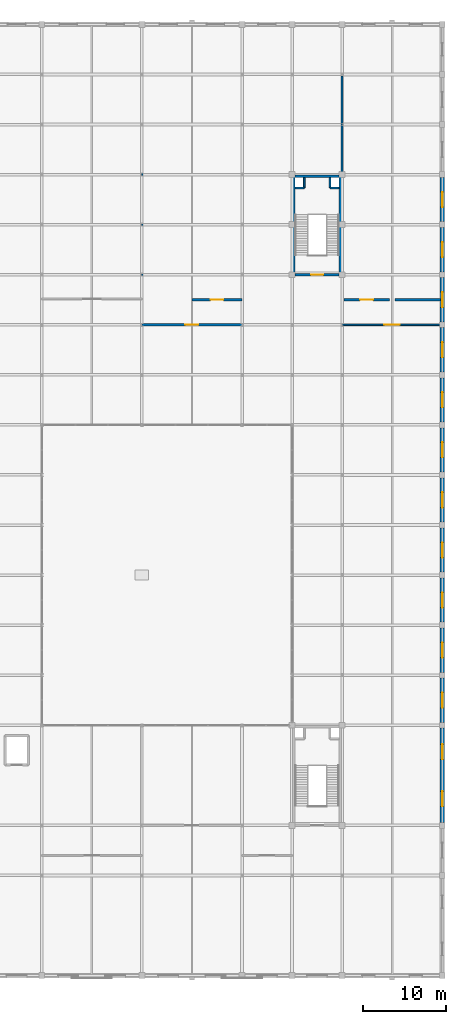
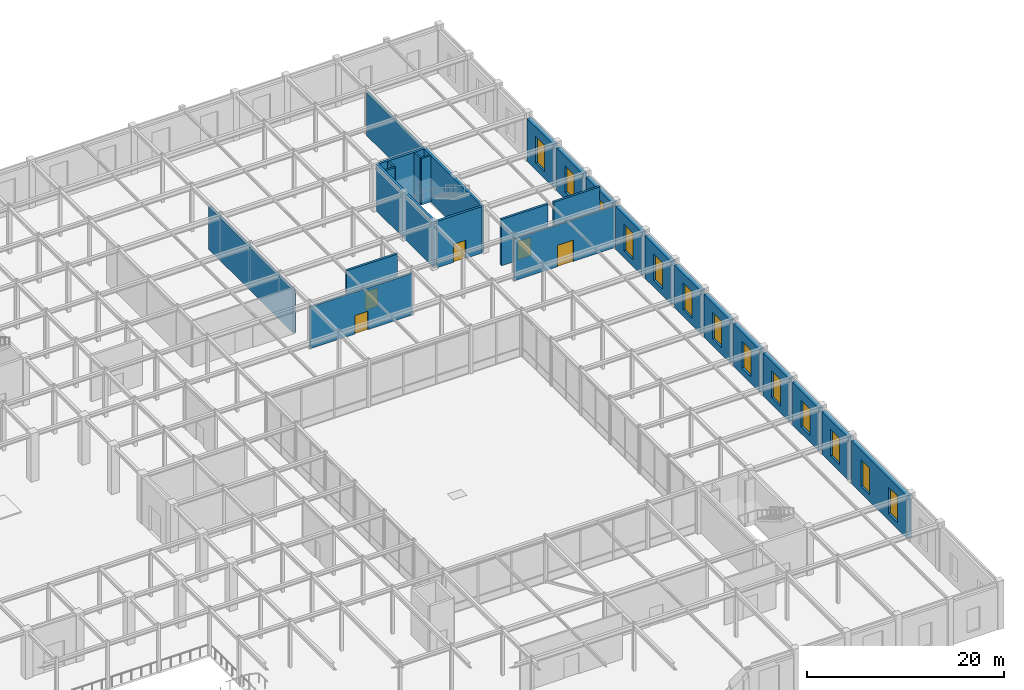
# One storey, part 104 of 108: 27 walls, 13 windows, 5 doors, 18 openings.
"""IFC4 building model written with IfcOpenShell, lengths in metres."""

from ifc_helpers import new_model, si_unit, direction, frame, frame_2d, origin, place, context, subcontext, project, spatial, rectangle, extrude, material, layer, layer_set, type_object, element, fill, save


model = new_model("IFC4")

# Units and contexts
model_context = context("Model", 3, precision=1e-05, world=origin(), true_north=direction((0.0, 1.0)))
body_context = subcontext(model_context, "Body", "Model", "MODEL_VIEW")
ifc_project = project(units=[si_unit("LENGTHUNIT", "METRE"), si_unit("AREAUNIT", "SQUARE_METRE"), si_unit("VOLUMEUNIT", "CUBIC_METRE"), si_unit("PLANEANGLEUNIT", "RADIAN"), si_unit("MASSUNIT", "GRAM", prefix="KILO")], contexts=[model_context])

# Site, building, storey
site_placement = place(None, origin())
site = spatial("IfcSite", under=ifc_project, at=site_placement, CompositionType="ELEMENT")
building_placement = place(site_placement, origin())
building = spatial("IfcBuilding", under=site, at=building_placement, Name="Zlatovratsky Civic Hall", CompositionType="ELEMENT")
storey_placement = place(building_placement, frame((0.0, 0.0, 6.0)))
storey = spatial("IfcBuildingStorey", under=building, at=storey_placement, Name="L02", CompositionType="ELEMENT", Elevation=6.0)

# Wall, opening, door
ifc_material_1 = material(Name="Acoustic ceramic blockwork", Category="masonry")
ifc_layer_1 = layer(ifc_material_1, 0.179931640625)
ifc_layer_set_1 = layer_set([ifc_layer_1], Name="Acoustic ceramic blockwork")
wall_type_1 = type_object("IfcWallType", Name="Wall_AcousticChamberPartition_180", PredefinedType="PARTITIONING", material=ifc_layer_set_1)
wall_1_placement = place(storey_placement, frame((156.0, 78.0, 0.0), z_axis=(0.0, 0.0, 1.0), x_axis=(1.0, 0.0, 0.0)))
wall_1 = element("IfcWall", 1, at=wall_1_placement, inside=storey, type_object=wall_type_1, Name="WL-6126", PredefinedType="PARTITIONING", context=body_context, shape_type="SweptSolid", body=[
    extrude(rectangle(XDim=12.0, YDim=0.179931640625, at=frame_2d((6.0, 0.0))), origin(), (0.0, 0.0, 1.0), 5.177978515625),
])
opening_1_placement = place(wall_1_placement, frame((5.074951171875, 0.0, 0.0)))
opening_1 = element("IfcOpeningElement", 2, at=opening_1_placement, cuts=wall_1, Name="Opening D-14", PredefinedType="OPENING", context=body_context, shape_type="SweptSolid", body=[
    extrude(rectangle(XDim=1.85009765625, YDim=2.64990234375, at=frame_2d((0.925048828125, 1.324951171875))), frame((0.0, 0.10498046875, 0.0), z_axis=(0.0, -1.0, 0.0), x_axis=(1.0, 0.0, 0.0)), (0.0, 0.0, 1.0), 0.209716796875),
])
ifc_material_2 = material(Name="Solid oak joinery in steel frame", Category="steel")
door_type_1 = type_object("IfcDoorType", Name="Door_LibraryReadingDouble_1850x2650", OperationType="DOUBLE_DOOR_SINGLE_SWING", PredefinedType="DOOR", material=ifc_material_2)
door_1_placement = place(opening_1_placement, origin())
door_1 = element("IfcDoor", 3, at=door_1_placement, inside=storey, type_object=door_type_1, Name="DR-5267", OperationType="DOUBLE_DOOR_SINGLE_SWING", OverallHeight=2.64990234375, OverallWidth=1.85009765625, PredefinedType="DOOR", context=body_context, shape_type="SweptSolid", body=[
    extrude(rectangle(XDim=1.85009765625, YDim=2.64990234375, at=frame_2d((0.925048828125, 1.324951171875))), frame((0.0, 0.02490234375, 0.0), z_axis=(0.0, -1.0, 0.0), x_axis=(1.0, 0.0, 0.0)), (0.0, 0.0, 1.0), 0.050048828125),
])
fill(opening_1, door_1)

ifc_layer_2 = layer(ifc_material_1, 0.260009765625)
ifc_layer_set_2 = layer_set([ifc_layer_2], Name="Acoustic ceramic blockwork")
wall_type_2 = type_object("IfcWallType", Name="Wall_ArchiveCompartment_260", PredefinedType="PARTITIONING", material=ifc_layer_set_2)
wall_2_placement = place(storey_placement, frame((132.0, 78.0, 0.0), z_axis=(0.0, 0.0, 1.0), x_axis=(1.0, 0.0, 0.0)))
wall_2 = element("IfcWall", 4, at=wall_2_placement, inside=storey, type_object=wall_type_2, Name="WL-6132", PredefinedType="PARTITIONING", context=body_context, shape_type="SweptSolid", body=[
    extrude(rectangle(XDim=12.0, YDim=0.260009765625, at=frame_2d((6.0, 0.0))), origin(), (0.0, 0.0, 1.0), 5.177978515625),
])
opening_2_placement = place(wall_2_placement, frame((5.22509765625, 0.0, 0.0)))
opening_2 = element("IfcOpeningElement", 5, at=opening_2_placement, cuts=wall_2, Name="Opening D-15", PredefinedType="OPENING", context=body_context, shape_type="SweptSolid", body=[
    extrude(rectangle(XDim=1.550048828125, YDim=2.300048828125, at=frame_2d((0.77490234375, 1.14990234375))), frame((0.0, 0.14501953125, 0.0), z_axis=(0.0, -1.0, 0.0), x_axis=(1.0, 0.0, 0.0)), (0.0, 0.0, 1.0), 0.289794921875),
])
ifc_material_3 = material(Name="Insulated painted fire-rated steel leaf", Category="steel")
door_type_2 = type_object("IfcDoorType", Name="Door_CompactArchiveFire_1550x2300", OperationType="DOUBLE_DOOR_SINGLE_SWING", PredefinedType="DOOR", material=ifc_material_3)
door_2_placement = place(opening_2_placement, origin())
door_2 = element("IfcDoor", 6, at=door_2_placement, inside=storey, type_object=door_type_2, Name="DR-5273", OperationType="DOUBLE_DOOR_SINGLE_SWING", OverallHeight=2.300048828125, OverallWidth=1.550048828125, PredefinedType="DOOR", context=body_context, shape_type="SweptSolid", body=[
    extrude(rectangle(XDim=1.550048828125, YDim=2.300048828125, at=frame_2d((0.77490234375, 1.14990234375))), frame((0.0, 0.02490234375, 0.0), z_axis=(0.0, -1.0, 0.0), x_axis=(1.0, 0.0, 0.0)), (0.0, 0.0, 1.0), 0.050048828125),
])
fill(opening_2, door_2)

wall_3_placement = place(storey_placement, frame((138.0, 81.0, 0.0), z_axis=(0.0, 0.0, 1.0), x_axis=(1.0, 0.0, 0.0)))
wall_3 = element("IfcWall", 7, at=wall_3_placement, inside=storey, type_object=wall_type_2, Name="WL-6136", PredefinedType="PARTITIONING", context=body_context, shape_type="SweptSolid", body=[
    extrude(rectangle(XDim=6.0, YDim=0.260009765625, at=frame_2d((3.0, 0.0))), origin(), (0.0, 0.0, 1.0), 5.760009765625),
])
opening_3_placement = place(wall_3_placement, frame((2.22509765625, 0.0, 0.0)))
opening_3 = element("IfcOpeningElement", 8, at=opening_3_placement, cuts=wall_3, Name="Opening D-15", PredefinedType="OPENING", context=body_context, shape_type="SweptSolid", body=[
    extrude(rectangle(XDim=1.550048828125, YDim=2.300048828125, at=frame_2d((0.77490234375, 1.14990234375))), frame((0.0, 0.14501953125, 0.0), z_axis=(0.0, -1.0, 0.0), x_axis=(1.0, 0.0, 0.0)), (0.0, 0.0, 1.0), 0.289794921875),
])
door_3_placement = place(opening_3_placement, origin())
door_3 = element("IfcDoor", 9, at=door_3_placement, inside=storey, type_object=door_type_2, Name="DR-5277", OperationType="DOUBLE_DOOR_SINGLE_SWING", OverallHeight=2.300048828125, OverallWidth=1.550048828125, PredefinedType="DOOR", context=body_context, shape_type="SweptSolid", body=[
    extrude(rectangle(XDim=1.550048828125, YDim=2.300048828125, at=frame_2d((0.77490234375, 1.14990234375))), frame((0.0, 0.02490234375, 0.0), z_axis=(0.0, -1.0, 0.0), x_axis=(1.0, 0.0, 0.0)), (0.0, 0.0, 1.0), 0.050048828125),
])
fill(opening_3, door_3)

wall_4_placement = place(storey_placement, frame((156.199951171875, 81.0, 0.0), z_axis=(0.0, 0.0, 1.0), x_axis=(1.0, 0.0, 0.0)))
wall_4 = element("IfcWall", 10, at=wall_4_placement, inside=storey, type_object=wall_type_2, Name="WL-6142", PredefinedType="PARTITIONING", context=body_context, shape_type="SweptSolid", body=[
    extrude(rectangle(XDim=5.449951171875, YDim=0.260009765625, at=frame_2d((2.72509765625, 0.0))), origin(), (0.0, 0.0, 1.0), 5.760009765625),
])
opening_4_placement = place(wall_4_placement, frame((1.949951171875, 0.0, 0.0)))
opening_4 = element("IfcOpeningElement", 11, at=opening_4_placement, cuts=wall_4, Name="Opening D-15", PredefinedType="OPENING", context=body_context, shape_type="SweptSolid", body=[
    extrude(rectangle(XDim=1.550048828125, YDim=2.300048828125, at=frame_2d((0.77490234375, 1.14990234375))), frame((0.0, 0.14501953125, 0.0), z_axis=(0.0, -1.0, 0.0), x_axis=(1.0, 0.0, 0.0)), (0.0, 0.0, 1.0), 0.289794921875),
])
door_4_placement = place(opening_4_placement, origin())
door_4 = element("IfcDoor", 12, at=door_4_placement, inside=storey, type_object=door_type_2, Name="DR-5283", OperationType="DOUBLE_DOOR_SINGLE_SWING", OverallHeight=2.300048828125, OverallWidth=1.550048828125, PredefinedType="DOOR", context=body_context, shape_type="SweptSolid", body=[
    extrude(rectangle(XDim=1.550048828125, YDim=2.300048828125, at=frame_2d((0.77490234375, 1.14990234375))), frame((0.0, 0.02490234375, 0.0), z_axis=(0.0, -1.0, 0.0), x_axis=(1.0, 0.0, 0.0)), (0.0, 0.0, 1.0), 0.050048828125),
])
fill(opening_4, door_4)

# Walls
wall_5_placement = place(storey_placement, frame((132.0, 81.14990234375, 0.0), z_axis=(0.0, 0.0, 1.0), x_axis=(0.0, 1.0, 0.0)))
element("IfcWall", 13, at=wall_5_placement, inside=storey, type_object=wall_type_2, Name="WL-6146", PredefinedType="PARTITIONING", context=body_context, shape_type="SweptSolid", body=[
    extrude(rectangle(XDim=17.2001953125, YDim=0.260009765625, at=frame_2d((8.60009765625, 0.0))), origin(), (0.0, 0.0, 1.0), 5.320068359375),
])
wall_6_placement = place(storey_placement, frame((162.35009765625, 81.0, 0.0), z_axis=(0.0, 0.0, 1.0), x_axis=(1.0, 0.0, 0.0)))
element("IfcWall", 14, at=wall_6_placement, inside=storey, type_object=wall_type_2, Name="WL-6152", PredefinedType="PARTITIONING", context=body_context, shape_type="SweptSolid", body=[
    extrude(rectangle(XDim=5.449951171875, YDim=0.260009765625, at=frame_2d((2.72509765625, 0.0))), origin(), (0.0, 0.0, 1.0), 5.760009765625),
])
wall_7_placement = place(storey_placement, frame((156.0, 96.199951171875, 0.0), z_axis=(0.0, 0.0, 1.0), x_axis=(0.0, 1.0, 0.0)))
element("IfcWall", 15, at=wall_7_placement, inside=storey, type_object=wall_type_2, Name="WL-6154", PredefinedType="PARTITIONING", context=body_context, shape_type="SweptSolid", body=[
    extrude(rectangle(XDim=11.60009765625, YDim=0.260009765625, at=frame_2d((5.800048828125, 0.0))), origin(), (0.0, 0.0, 1.0), 5.320068359375),
])

# Wall, openings, windows
ifc_layer_3 = layer(ifc_material_1, 0.39990234375, Name="Backing")
ifc_material_4 = material(Name="Polished Karelian granite ashlar", Category="masonry")
ifc_layer_4 = layer(ifc_material_4, 0.139892578125, Name="Finish")
ifc_layer_set_3 = layer_set([ifc_layer_3, ifc_layer_4], Name="Acoustic ceramic blockwork")
wall_type_3 = type_object("IfcWallType", Name="Wall_PodiumGraniteArcade_540", PredefinedType="SOLIDWALL", material=ifc_layer_set_3)
wall_8_placement = place(storey_placement, frame((168.0, 18.35009765625, 0.0), z_axis=(0.0, 0.0, 1.0), x_axis=(0.0, 1.0, 0.0)))
wall_8 = element("IfcWall", 16, at=wall_8_placement, inside=storey, type_object=wall_type_3, Name="WL-0226", PredefinedType="SOLIDWALL", context=body_context, shape_type="SweptSolid", body=[
    extrude(rectangle(XDim=11.2998046875, YDim=0.5400390625, at=frame_2d((5.64990234375, 0.0))), origin(), (0.0, 0.0, 1.0), 5.31005859375),
])
opening_5_placement = place(wall_8_placement, frame((1.925048828125, 0.0, 0.85009765625)))
opening_5 = element("IfcOpeningElement", 17, at=opening_5_placement, cuts=wall_8, Name="Opening WN-06", PredefinedType="OPENING", context=body_context, shape_type="SweptSolid", body=[
    extrude(rectangle(XDim=1.800048828125, YDim=3.300048828125, at=frame_2d((0.89990234375, 1.64990234375))), frame((0.0, 0.284912109375, 0.0), z_axis=(0.0, -1.0, 0.0), x_axis=(1.0, 0.0, 0.0)), (0.0, 0.0, 1.0), 0.56982421875),
])
opening_6_placement = place(wall_8_placement, frame((7.574951171875, 0.0, 0.85009765625)))
opening_6 = element("IfcOpeningElement", 18, at=opening_6_placement, cuts=wall_8, Name="Opening WN-06", PredefinedType="OPENING", context=body_context, shape_type="SweptSolid", body=[
    extrude(rectangle(XDim=1.800048828125, YDim=3.300048828125, at=frame_2d((0.89990234375, 1.64990234375))), frame((0.0, 0.284912109375, 0.0), z_axis=(0.0, -1.0, 0.0), x_axis=(1.0, 0.0, 0.0)), (0.0, 0.0, 1.0), 0.56982421875),
])
ifc_material_5 = material(Name="Low-E laminated double glazing", Category="glass")
window_type = type_object("IfcWindowType", Name="Window_PianoNobileCourt_1800x3300", PartitioningType="SINGLE_PANEL", PredefinedType="WINDOW", material=ifc_material_5)
window_1_placement = place(opening_5_placement, origin())
window_1 = element("IfcWindow", 19, at=window_1_placement, inside=storey, type_object=window_type, Name="WN-0149", OverallHeight=3.300048828125, OverallWidth=1.800048828125, PartitioningType="SINGLE_PANEL", PredefinedType="WINDOW", context=body_context, shape_type="SweptSolid", body=[
    extrude(rectangle(XDim=1.800048828125, YDim=3.300048828125, at=frame_2d((0.89990234375, 1.64990234375))), frame((0.0, 0.030029296875, 0.0), z_axis=(0.0, -1.0, 0.0), x_axis=(1.0, 0.0, 0.0)), (0.0, 0.0, 1.0), 0.06005859375),
])
fill(opening_5, window_1)
window_2_placement = place(opening_6_placement, origin())
window_2 = element("IfcWindow", 20, at=window_2_placement, inside=storey, type_object=window_type, Name="WN-0150", OverallHeight=3.300048828125, OverallWidth=1.800048828125, PartitioningType="SINGLE_PANEL", PredefinedType="WINDOW", context=body_context, shape_type="SweptSolid", body=[
    extrude(rectangle(XDim=1.800048828125, YDim=3.300048828125, at=frame_2d((0.89990234375, 1.64990234375))), frame((0.0, 0.030029296875, 0.0), z_axis=(0.0, -1.0, 0.0), x_axis=(1.0, 0.0, 0.0)), (0.0, 0.0, 1.0), 0.06005859375),
])
fill(opening_6, window_2)

# Wall, opening, window
wall_9_placement = place(storey_placement, frame((168.0, 30.35009765625, 0.0), z_axis=(0.0, 0.0, 1.0), x_axis=(0.0, 1.0, 0.0)))
wall_9 = element("IfcWall", 21, at=wall_9_placement, inside=storey, type_object=wall_type_3, Name="WL-0227", PredefinedType="SOLIDWALL", context=body_context, shape_type="SweptSolid", body=[
    extrude(rectangle(XDim=5.2998046875, YDim=0.5400390625, at=frame_2d((2.64990234375, 0.0))), origin(), (0.0, 0.0, 1.0), 5.31005859375),
])
opening_7_placement = place(wall_9_placement, frame((1.75, 0.0, 0.85009765625)))
opening_7 = element("IfcOpeningElement", 22, at=opening_7_placement, cuts=wall_9, Name="Opening WN-06", PredefinedType="OPENING", context=body_context, shape_type="SweptSolid", body=[
    extrude(rectangle(XDim=1.800048828125, YDim=3.300048828125, at=frame_2d((0.89990234375, 1.64990234375))), frame((0.0, 0.284912109375, 0.0), z_axis=(0.0, -1.0, 0.0), x_axis=(1.0, 0.0, 0.0)), (0.0, 0.0, 1.0), 0.56982421875),
])
window_3_placement = place(opening_7_placement, origin())
window_3 = element("IfcWindow", 23, at=window_3_placement, inside=storey, type_object=window_type, Name="WN-0151", OverallHeight=3.300048828125, OverallWidth=1.800048828125, PartitioningType="SINGLE_PANEL", PredefinedType="WINDOW", context=body_context, shape_type="SweptSolid", body=[
    extrude(rectangle(XDim=1.800048828125, YDim=3.300048828125, at=frame_2d((0.89990234375, 1.64990234375))), frame((0.0, 0.030029296875, 0.0), z_axis=(0.0, -1.0, 0.0), x_axis=(1.0, 0.0, 0.0)), (0.0, 0.0, 1.0), 0.06005859375),
])
fill(opening_7, window_3)

wall_10_placement = place(storey_placement, frame((168.0, 36.35009765625, 0.0), z_axis=(0.0, 0.0, 1.0), x_axis=(0.0, 1.0, 0.0)))
wall_10 = element("IfcWall", 24, at=wall_10_placement, inside=storey, type_object=wall_type_3, Name="WL-0228", PredefinedType="SOLIDWALL", context=body_context, shape_type="SweptSolid", body=[
    extrude(rectangle(XDim=5.2998046875, YDim=0.5400390625, at=frame_2d((2.64990234375, 0.0))), origin(), (0.0, 0.0, 1.0), 5.31005859375),
])
opening_8_placement = place(wall_10_placement, frame((1.75, 0.0, 0.85009765625)))
opening_8 = element("IfcOpeningElement", 25, at=opening_8_placement, cuts=wall_10, Name="Opening WN-06", PredefinedType="OPENING", context=body_context, shape_type="SweptSolid", body=[
    extrude(rectangle(XDim=1.800048828125, YDim=3.300048828125, at=frame_2d((0.89990234375, 1.64990234375))), frame((0.0, 0.284912109375, 0.0), z_axis=(0.0, -1.0, 0.0), x_axis=(1.0, 0.0, 0.0)), (0.0, 0.0, 1.0), 0.56982421875),
])
window_4_placement = place(opening_8_placement, origin())
window_4 = element("IfcWindow", 26, at=window_4_placement, inside=storey, type_object=window_type, Name="WN-0152", OverallHeight=3.300048828125, OverallWidth=1.800048828125, PartitioningType="SINGLE_PANEL", PredefinedType="WINDOW", context=body_context, shape_type="SweptSolid", body=[
    extrude(rectangle(XDim=1.800048828125, YDim=3.300048828125, at=frame_2d((0.89990234375, 1.64990234375))), frame((0.0, 0.030029296875, 0.0), z_axis=(0.0, -1.0, 0.0), x_axis=(1.0, 0.0, 0.0)), (0.0, 0.0, 1.0), 0.06005859375),
])
fill(opening_8, window_4)

wall_11_placement = place(storey_placement, frame((168.0, 42.35009765625, 0.0), z_axis=(0.0, 0.0, 1.0), x_axis=(0.0, 1.0, 0.0)))
wall_11 = element("IfcWall", 27, at=wall_11_placement, inside=storey, type_object=wall_type_3, Name="WL-0229", PredefinedType="SOLIDWALL", context=body_context, shape_type="SweptSolid", body=[
    extrude(rectangle(XDim=5.2998046875, YDim=0.5400390625, at=frame_2d((2.64990234375, 0.0))), origin(), (0.0, 0.0, 1.0), 5.31005859375),
])
opening_9_placement = place(wall_11_placement, frame((1.75, 0.0, 0.85009765625)))
opening_9 = element("IfcOpeningElement", 28, at=opening_9_placement, cuts=wall_11, Name="Opening WN-06", PredefinedType="OPENING", context=body_context, shape_type="SweptSolid", body=[
    extrude(rectangle(XDim=1.800048828125, YDim=3.300048828125, at=frame_2d((0.89990234375, 1.64990234375))), frame((0.0, 0.284912109375, 0.0), z_axis=(0.0, -1.0, 0.0), x_axis=(1.0, 0.0, 0.0)), (0.0, 0.0, 1.0), 0.56982421875),
])
window_5_placement = place(opening_9_placement, origin())
window_5 = element("IfcWindow", 29, at=window_5_placement, inside=storey, type_object=window_type, Name="WN-0153", OverallHeight=3.300048828125, OverallWidth=1.800048828125, PartitioningType="SINGLE_PANEL", PredefinedType="WINDOW", context=body_context, shape_type="SweptSolid", body=[
    extrude(rectangle(XDim=1.800048828125, YDim=3.300048828125, at=frame_2d((0.89990234375, 1.64990234375))), frame((0.0, 0.030029296875, 0.0), z_axis=(0.0, -1.0, 0.0), x_axis=(1.0, 0.0, 0.0)), (0.0, 0.0, 1.0), 0.06005859375),
])
fill(opening_9, window_5)

wall_12_placement = place(storey_placement, frame((168.0, 48.35009765625, 0.0), z_axis=(0.0, 0.0, 1.0), x_axis=(0.0, 1.0, 0.0)))
wall_12 = element("IfcWall", 30, at=wall_12_placement, inside=storey, type_object=wall_type_3, Name="WL-0230", PredefinedType="SOLIDWALL", context=body_context, shape_type="SweptSolid", body=[
    extrude(rectangle(XDim=5.2998046875, YDim=0.5400390625, at=frame_2d((2.64990234375, 0.0))), origin(), (0.0, 0.0, 1.0), 5.31005859375),
])
opening_10_placement = place(wall_12_placement, frame((1.75, 0.0, 0.85009765625)))
opening_10 = element("IfcOpeningElement", 31, at=opening_10_placement, cuts=wall_12, Name="Opening WN-06", PredefinedType="OPENING", context=body_context, shape_type="SweptSolid", body=[
    extrude(rectangle(XDim=1.800048828125, YDim=3.300048828125, at=frame_2d((0.89990234375, 1.64990234375))), frame((0.0, 0.284912109375, 0.0), z_axis=(0.0, -1.0, 0.0), x_axis=(1.0, 0.0, 0.0)), (0.0, 0.0, 1.0), 0.56982421875),
])
window_6_placement = place(opening_10_placement, origin())
window_6 = element("IfcWindow", 32, at=window_6_placement, inside=storey, type_object=window_type, Name="WN-0154", OverallHeight=3.300048828125, OverallWidth=1.800048828125, PartitioningType="SINGLE_PANEL", PredefinedType="WINDOW", context=body_context, shape_type="SweptSolid", body=[
    extrude(rectangle(XDim=1.800048828125, YDim=3.300048828125, at=frame_2d((0.89990234375, 1.64990234375))), frame((0.0, 0.030029296875, 0.0), z_axis=(0.0, -1.0, 0.0), x_axis=(1.0, 0.0, 0.0)), (0.0, 0.0, 1.0), 0.06005859375),
])
fill(opening_10, window_6)

wall_13_placement = place(storey_placement, frame((168.0, 54.35009765625, 0.0), z_axis=(0.0, 0.0, 1.0), x_axis=(0.0, 1.0, 0.0)))
wall_13 = element("IfcWall", 33, at=wall_13_placement, inside=storey, type_object=wall_type_3, Name="WL-0231", PredefinedType="SOLIDWALL", context=body_context, shape_type="SweptSolid", body=[
    extrude(rectangle(XDim=5.2998046875, YDim=0.5400390625, at=frame_2d((2.64990234375, 0.0))), origin(), (0.0, 0.0, 1.0), 5.31005859375),
])
opening_11_placement = place(wall_13_placement, frame((1.75, 0.0, 0.85009765625)))
opening_11 = element("IfcOpeningElement", 34, at=opening_11_placement, cuts=wall_13, Name="Opening WN-06", PredefinedType="OPENING", context=body_context, shape_type="SweptSolid", body=[
    extrude(rectangle(XDim=1.800048828125, YDim=3.300048828125, at=frame_2d((0.89990234375, 1.64990234375))), frame((0.0, 0.284912109375, 0.0), z_axis=(0.0, -1.0, 0.0), x_axis=(1.0, 0.0, 0.0)), (0.0, 0.0, 1.0), 0.56982421875),
])
window_7_placement = place(opening_11_placement, origin())
window_7 = element("IfcWindow", 35, at=window_7_placement, inside=storey, type_object=window_type, Name="WN-0155", OverallHeight=3.300048828125, OverallWidth=1.800048828125, PartitioningType="SINGLE_PANEL", PredefinedType="WINDOW", context=body_context, shape_type="SweptSolid", body=[
    extrude(rectangle(XDim=1.800048828125, YDim=3.300048828125, at=frame_2d((0.89990234375, 1.64990234375))), frame((0.0, 0.030029296875, 0.0), z_axis=(0.0, -1.0, 0.0), x_axis=(1.0, 0.0, 0.0)), (0.0, 0.0, 1.0), 0.06005859375),
])
fill(opening_11, window_7)

wall_14_placement = place(storey_placement, frame((168.0, 60.35009765625, 0.0), z_axis=(0.0, 0.0, 1.0), x_axis=(0.0, 1.0, 0.0)))
wall_14 = element("IfcWall", 36, at=wall_14_placement, inside=storey, type_object=wall_type_3, Name="WL-0232", PredefinedType="SOLIDWALL", context=body_context, shape_type="SweptSolid", body=[
    extrude(rectangle(XDim=5.2998046875, YDim=0.5400390625, at=frame_2d((2.64990234375, 0.0))), origin(), (0.0, 0.0, 1.0), 5.31005859375),
])
opening_12_placement = place(wall_14_placement, frame((1.75, 0.0, 0.85009765625)))
opening_12 = element("IfcOpeningElement", 37, at=opening_12_placement, cuts=wall_14, Name="Opening WN-06", PredefinedType="OPENING", context=body_context, shape_type="SweptSolid", body=[
    extrude(rectangle(XDim=1.800048828125, YDim=3.300048828125, at=frame_2d((0.89990234375, 1.64990234375))), frame((0.0, 0.284912109375, 0.0), z_axis=(0.0, -1.0, 0.0), x_axis=(1.0, 0.0, 0.0)), (0.0, 0.0, 1.0), 0.56982421875),
])
window_8_placement = place(opening_12_placement, origin())
window_8 = element("IfcWindow", 38, at=window_8_placement, inside=storey, type_object=window_type, Name="WN-0156", OverallHeight=3.300048828125, OverallWidth=1.800048828125, PartitioningType="SINGLE_PANEL", PredefinedType="WINDOW", context=body_context, shape_type="SweptSolid", body=[
    extrude(rectangle(XDim=1.800048828125, YDim=3.300048828125, at=frame_2d((0.89990234375, 1.64990234375))), frame((0.0, 0.030029296875, 0.0), z_axis=(0.0, -1.0, 0.0), x_axis=(1.0, 0.0, 0.0)), (0.0, 0.0, 1.0), 0.06005859375),
])
fill(opening_12, window_8)

wall_15_placement = place(storey_placement, frame((168.0, 66.35009765625, 0.0), z_axis=(0.0, 0.0, 1.0), x_axis=(0.0, 1.0, 0.0)))
wall_15 = element("IfcWall", 39, at=wall_15_placement, inside=storey, type_object=wall_type_3, Name="WL-0233", PredefinedType="SOLIDWALL", context=body_context, shape_type="SweptSolid", body=[
    extrude(rectangle(XDim=5.2998046875, YDim=0.5400390625, at=frame_2d((2.64990234375, 0.0))), origin(), (0.0, 0.0, 1.0), 5.31005859375),
])
opening_13_placement = place(wall_15_placement, frame((1.75, 0.0, 0.85009765625)))
opening_13 = element("IfcOpeningElement", 40, at=opening_13_placement, cuts=wall_15, Name="Opening WN-06", PredefinedType="OPENING", context=body_context, shape_type="SweptSolid", body=[
    extrude(rectangle(XDim=1.800048828125, YDim=3.300048828125, at=frame_2d((0.89990234375, 1.64990234375))), frame((0.0, 0.284912109375, 0.0), z_axis=(0.0, -1.0, 0.0), x_axis=(1.0, 0.0, 0.0)), (0.0, 0.0, 1.0), 0.56982421875),
])
window_9_placement = place(opening_13_placement, origin())
window_9 = element("IfcWindow", 41, at=window_9_placement, inside=storey, type_object=window_type, Name="WN-0157", OverallHeight=3.300048828125, OverallWidth=1.800048828125, PartitioningType="SINGLE_PANEL", PredefinedType="WINDOW", context=body_context, shape_type="SweptSolid", body=[
    extrude(rectangle(XDim=1.800048828125, YDim=3.300048828125, at=frame_2d((0.89990234375, 1.64990234375))), frame((0.0, 0.030029296875, 0.0), z_axis=(0.0, -1.0, 0.0), x_axis=(1.0, 0.0, 0.0)), (0.0, 0.0, 1.0), 0.06005859375),
])
fill(opening_13, window_9)

wall_16_placement = place(storey_placement, frame((168.0, 72.35009765625, 0.0), z_axis=(0.0, 0.0, 1.0), x_axis=(0.0, 1.0, 0.0)))
wall_16 = element("IfcWall", 42, at=wall_16_placement, inside=storey, type_object=wall_type_3, Name="WL-0234", PredefinedType="SOLIDWALL", context=body_context, shape_type="SweptSolid", body=[
    extrude(rectangle(XDim=5.2998046875, YDim=0.5400390625, at=frame_2d((2.64990234375, 0.0))), origin(), (0.0, 0.0, 1.0), 5.31005859375),
])
opening_14_placement = place(wall_16_placement, frame((1.75, 0.0, 0.85009765625)))
opening_14 = element("IfcOpeningElement", 43, at=opening_14_placement, cuts=wall_16, Name="Opening WN-06", PredefinedType="OPENING", context=body_context, shape_type="SweptSolid", body=[
    extrude(rectangle(XDim=1.800048828125, YDim=3.300048828125, at=frame_2d((0.89990234375, 1.64990234375))), frame((0.0, 0.284912109375, 0.0), z_axis=(0.0, -1.0, 0.0), x_axis=(1.0, 0.0, 0.0)), (0.0, 0.0, 1.0), 0.56982421875),
])
window_10_placement = place(opening_14_placement, origin())
window_10 = element("IfcWindow", 44, at=window_10_placement, inside=storey, type_object=window_type, Name="WN-0158", OverallHeight=3.300048828125, OverallWidth=1.800048828125, PartitioningType="SINGLE_PANEL", PredefinedType="WINDOW", context=body_context, shape_type="SweptSolid", body=[
    extrude(rectangle(XDim=1.800048828125, YDim=3.300048828125, at=frame_2d((0.89990234375, 1.64990234375))), frame((0.0, 0.030029296875, 0.0), z_axis=(0.0, -1.0, 0.0), x_axis=(1.0, 0.0, 0.0)), (0.0, 0.0, 1.0), 0.06005859375),
])
fill(opening_14, window_10)

wall_17_placement = place(storey_placement, frame((168.0, 78.35009765625, 0.0), z_axis=(0.0, 0.0, 1.0), x_axis=(0.0, 1.0, 0.0)))
wall_17 = element("IfcWall", 45, at=wall_17_placement, inside=storey, type_object=wall_type_3, Name="WL-0235", PredefinedType="SOLIDWALL", context=body_context, shape_type="SweptSolid", body=[
    extrude(rectangle(XDim=5.2998046875, YDim=0.5400390625, at=frame_2d((2.64990234375, 0.0))), origin(), (0.0, 0.0, 1.0), 5.31005859375),
])
opening_15_placement = place(wall_17_placement, frame((1.75, 0.0, 0.85009765625)))
opening_15 = element("IfcOpeningElement", 46, at=opening_15_placement, cuts=wall_17, Name="Opening WN-06", PredefinedType="OPENING", context=body_context, shape_type="SweptSolid", body=[
    extrude(rectangle(XDim=1.800048828125, YDim=3.300048828125, at=frame_2d((0.89990234375, 1.64990234375))), frame((0.0, 0.284912109375, 0.0), z_axis=(0.0, -1.0, 0.0), x_axis=(1.0, 0.0, 0.0)), (0.0, 0.0, 1.0), 0.56982421875),
])
window_11_placement = place(opening_15_placement, origin())
window_11 = element("IfcWindow", 47, at=window_11_placement, inside=storey, type_object=window_type, Name="WN-0159", OverallHeight=3.300048828125, OverallWidth=1.800048828125, PartitioningType="SINGLE_PANEL", PredefinedType="WINDOW", context=body_context, shape_type="SweptSolid", body=[
    extrude(rectangle(XDim=1.800048828125, YDim=3.300048828125, at=frame_2d((0.89990234375, 1.64990234375))), frame((0.0, 0.030029296875, 0.0), z_axis=(0.0, -1.0, 0.0), x_axis=(1.0, 0.0, 0.0)), (0.0, 0.0, 1.0), 0.06005859375),
])
fill(opening_15, window_11)

wall_18_placement = place(storey_placement, frame((168.0, 84.35009765625, 0.0), z_axis=(0.0, 0.0, 1.0), x_axis=(0.0, 1.0, 0.0)))
wall_18 = element("IfcWall", 48, at=wall_18_placement, inside=storey, type_object=wall_type_3, Name="WL-0236", PredefinedType="SOLIDWALL", context=body_context, shape_type="SweptSolid", body=[
    extrude(rectangle(XDim=5.2998046875, YDim=0.5400390625, at=frame_2d((2.64990234375, 0.0))), origin(), (0.0, 0.0, 1.0), 5.31005859375),
])
opening_16_placement = place(wall_18_placement, frame((1.75, 0.0, 0.85009765625)))
opening_16 = element("IfcOpeningElement", 49, at=opening_16_placement, cuts=wall_18, Name="Opening WN-06", PredefinedType="OPENING", context=body_context, shape_type="SweptSolid", body=[
    extrude(rectangle(XDim=1.800048828125, YDim=3.300048828125, at=frame_2d((0.89990234375, 1.64990234375))), frame((0.0, 0.284912109375, 0.0), z_axis=(0.0, -1.0, 0.0), x_axis=(1.0, 0.0, 0.0)), (0.0, 0.0, 1.0), 0.56982421875),
])
window_12_placement = place(opening_16_placement, origin())
window_12 = element("IfcWindow", 50, at=window_12_placement, inside=storey, type_object=window_type, Name="WN-0160", OverallHeight=3.300048828125, OverallWidth=1.800048828125, PartitioningType="SINGLE_PANEL", PredefinedType="WINDOW", context=body_context, shape_type="SweptSolid", body=[
    extrude(rectangle(XDim=1.800048828125, YDim=3.300048828125, at=frame_2d((0.89990234375, 1.64990234375))), frame((0.0, 0.030029296875, 0.0), z_axis=(0.0, -1.0, 0.0), x_axis=(1.0, 0.0, 0.0)), (0.0, 0.0, 1.0), 0.06005859375),
])
fill(opening_16, window_12)

wall_19_placement = place(storey_placement, frame((168.0, 90.35009765625, 0.0), z_axis=(0.0, 0.0, 1.0), x_axis=(0.0, 1.0, 0.0)))
wall_19 = element("IfcWall", 51, at=wall_19_placement, inside=storey, type_object=wall_type_3, Name="WL-0237", PredefinedType="SOLIDWALL", context=body_context, shape_type="SweptSolid", body=[
    extrude(rectangle(XDim=5.2998046875, YDim=0.5400390625, at=frame_2d((2.64990234375, 0.0))), origin(), (0.0, 0.0, 1.0), 5.31005859375),
])
opening_17_placement = place(wall_19_placement, frame((1.75, 0.0, 0.85009765625)))
opening_17 = element("IfcOpeningElement", 52, at=opening_17_placement, cuts=wall_19, Name="Opening WN-06", PredefinedType="OPENING", context=body_context, shape_type="SweptSolid", body=[
    extrude(rectangle(XDim=1.800048828125, YDim=3.300048828125, at=frame_2d((0.89990234375, 1.64990234375))), frame((0.0, 0.284912109375, 0.0), z_axis=(0.0, -1.0, 0.0), x_axis=(1.0, 0.0, 0.0)), (0.0, 0.0, 1.0), 0.56982421875),
])
window_13_placement = place(opening_17_placement, origin())
window_13 = element("IfcWindow", 53, at=window_13_placement, inside=storey, type_object=window_type, Name="WN-0161", OverallHeight=3.300048828125, OverallWidth=1.800048828125, PartitioningType="SINGLE_PANEL", PredefinedType="WINDOW", context=body_context, shape_type="SweptSolid", body=[
    extrude(rectangle(XDim=1.800048828125, YDim=3.300048828125, at=frame_2d((0.89990234375, 1.64990234375))), frame((0.0, 0.030029296875, 0.0), z_axis=(0.0, -1.0, 0.0), x_axis=(1.0, 0.0, 0.0)), (0.0, 0.0, 1.0), 0.06005859375),
])
fill(opening_17, window_13)

# Walls
ifc_layer_5 = layer(ifc_material_1, 0.219970703125)
ifc_layer_set_4 = layer_set([ifc_layer_5], Name="Acoustic ceramic blockwork")
wall_type_4 = type_object("IfcWallType", Name="Wall_SanitaryWetCore_220", PredefinedType="PARTITIONING", material=ifc_layer_set_4)
wall_20_placement = place(storey_placement, frame((151.449951171875, 94.39990234375, 0.0), z_axis=(0.0, 0.0, 1.0), x_axis=(0.0, 1.0, 0.0)))
element("IfcWall", 54, at=wall_20_placement, inside=storey, type_object=wall_type_4, Name="WL-5449", PredefinedType="PARTITIONING", context=body_context, shape_type="SweptSolid", body=[
    extrude(rectangle(XDim=1.25, YDim=0.219970703125, at=frame_2d((0.625, 0.0))), origin(), (0.0, 0.0, 1.0), 5.760009765625),
])
wall_21_placement = place(storey_placement, frame((150.35009765625, 94.39990234375, 0.0), z_axis=(0.0, 0.0, 1.0), x_axis=(1.0, 0.0, 0.0)))
element("IfcWall", 55, at=wall_21_placement, inside=storey, type_object=wall_type_4, Name="WL-5450", PredefinedType="PARTITIONING", context=body_context, shape_type="SweptSolid", body=[
    extrude(rectangle(XDim=1.099853515625, YDim=0.219970703125, at=frame_2d((0.5498046875, 0.0))), origin(), (0.0, 0.0, 1.0), 5.760009765625),
])
wall_22_placement = place(storey_placement, frame((154.550048828125, 94.39990234375, 0.0), z_axis=(0.0, 0.0, 1.0), x_axis=(0.0, 1.0, 0.0)))
element("IfcWall", 56, at=wall_22_placement, inside=storey, type_object=wall_type_4, Name="WL-5451", PredefinedType="PARTITIONING", context=body_context, shape_type="SweptSolid", body=[
    extrude(rectangle(XDim=1.25, YDim=0.219970703125, at=frame_2d((0.625, 0.0))), origin(), (0.0, 0.0, 1.0), 5.760009765625),
])
wall_23_placement = place(storey_placement, frame((154.550048828125, 94.39990234375, 0.0), z_axis=(0.0, 0.0, 1.0), x_axis=(1.0, 0.0, 0.0)))
element("IfcWall", 57, at=wall_23_placement, inside=storey, type_object=wall_type_4, Name="WL-5452", PredefinedType="PARTITIONING", context=body_context, shape_type="SweptSolid", body=[
    extrude(rectangle(XDim=1.099853515625, YDim=0.219970703125, at=frame_2d((0.5498046875, 0.0))), origin(), (0.0, 0.0, 1.0), 5.760009765625),
])

# Wall, opening, door
ifc_material_6 = material(Name="Concrete C35/45 (B40)", Category="concrete")
ifc_layer_6 = layer(ifc_material_6, 0.300048828125)
ifc_layer_set_5 = layer_set([ifc_layer_6], Name="Concrete C35/45 (B40)")
wall_type_5 = type_object("IfcWallType", Name="Wall_StairAndLiftShaft_300", PredefinedType="SHEAR", material=ifc_layer_set_5)
wall_24_placement = place(storey_placement, frame((150.35009765625, 84.0, 0.0), z_axis=(0.0, 0.0, 1.0), x_axis=(1.0, 0.0, 0.0)))
wall_24 = element("IfcWall", 58, at=wall_24_placement, inside=storey, type_object=wall_type_5, Name="WL-5445", PredefinedType="SHEAR", context=body_context, shape_type="SweptSolid", body=[
    extrude(rectangle(XDim=5.2998046875, YDim=0.300048828125, at=frame_2d((2.64990234375, 0.0))), origin(), (0.0, 0.0, 1.0), 5.760009765625),
])
opening_18_placement = place(wall_24_placement, frame((1.925048828125, 0.0, 0.0)))
opening_18 = element("IfcOpeningElement", 59, at=opening_18_placement, cuts=wall_24, Name="Opening D-16", PredefinedType="OPENING", context=body_context, shape_type="SweptSolid", body=[
    extrude(rectangle(XDim=1.449951171875, YDim=2.25, at=frame_2d((0.72509765625, 1.125))), frame((0.0, 0.1650390625, 0.0), z_axis=(0.0, -1.0, 0.0), x_axis=(1.0, 0.0, 0.0)), (0.0, 0.0, 1.0), 0.329833984375),
])
door_type_3 = type_object("IfcDoorType", Name="Door_StairwellFirePodium_1450x2250", OperationType="NOTDEFINED", PredefinedType="DOOR", material=ifc_material_3)
door_5_placement = place(opening_18_placement, origin())
door_5 = element("IfcDoor", 60, at=door_5_placement, inside=storey, type_object=door_type_3, Name="DR-5056", OperationType="SINGLE_SWING_LEFT", OverallHeight=2.25, OverallWidth=1.449951171875, PredefinedType="DOOR", context=body_context, shape_type="SweptSolid", body=[
    extrude(rectangle(XDim=1.449951171875, YDim=2.25, at=frame_2d((0.72509765625, 1.125))), frame((0.0, 0.02490234375, 0.0), z_axis=(0.0, -1.0, 0.0), x_axis=(1.0, 0.0, 0.0)), (0.0, 0.0, 1.0), 0.050048828125),
])
fill(opening_18, door_5)

# Walls
wall_25_placement = place(storey_placement, frame((150.35009765625, 95.800048828125, 0.0), z_axis=(0.0, 0.0, 1.0), x_axis=(1.0, 0.0, 0.0)))
element("IfcWall", 61, at=wall_25_placement, inside=storey, type_object=wall_type_5, Name="WL-5446", PredefinedType="SHEAR", context=body_context, shape_type="SweptSolid", body=[
    extrude(rectangle(XDim=5.2998046875, YDim=0.300048828125, at=frame_2d((2.64990234375, 0.0))), origin(), (0.0, 0.0, 1.0), 5.760009765625),
])
for number, where, z_axis, x_axis, name in (
    (62, (150.199951171875, 84.0, 0.0), (0.0, 0.0, 1.0), (0.0, 1.0, 0.0), "WL-5447"),
    (63, (155.800048828125, 84.0, 0.0), (0.0, 0.0, 1.0), (0.0, 1.0, 0.0), "WL-5448"),
):
    element("IfcWall", number, at=place(storey_placement, frame(where, z_axis=z_axis, x_axis=x_axis)), inside=storey, type_object=wall_type_5, Name=name, PredefinedType="SHEAR", context=body_context, shape_type="SweptSolid", body=[
        extrude(rectangle(XDim=11.800048828125, YDim=0.300048828125, at=frame_2d((5.89990234375, 0.0))), origin(), (0.0, 0.0, 1.0), 5.760009765625),
    ])

save(model, "model.ifc")
